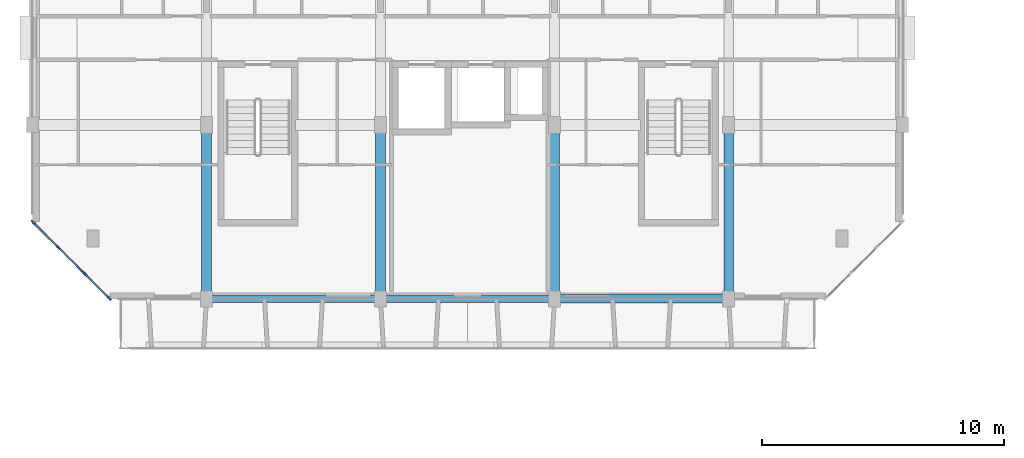
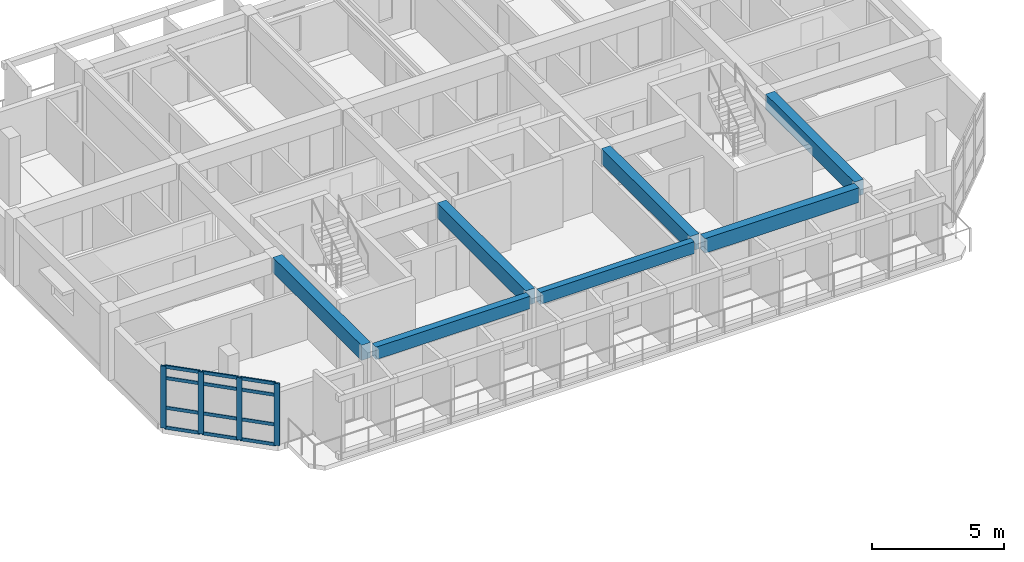
# One storey, part 8 of 64: 16 members, 7 beams, 1 element without a shape of its own.
"""IFC4 building model written with IfcOpenShell, lengths in metres."""

from ifc_helpers import new_model, si_unit, direction, frame, origin, origin_2d, place, context, subcontext, project, spatial, rectangle, extrude, material, layer, layer_set, material_profile, profile_set, type_object, element, aggregate, save


model = new_model("IFC4")

# Units and contexts
model_context = context("Model", 3, precision=1e-05, world=origin(), true_north=direction((0.0, 1.0)))
body_context = subcontext(model_context, "Body", "Model", "MODEL_VIEW")
ifc_project = project(units=[si_unit("LENGTHUNIT", "METRE"), si_unit("AREAUNIT", "SQUARE_METRE"), si_unit("VOLUMEUNIT", "CUBIC_METRE"), si_unit("PLANEANGLEUNIT", "RADIAN"), si_unit("MASSUNIT", "GRAM", prefix="KILO")], contexts=[model_context])

# Site, building, storey
site_placement = place(None, origin())
site = spatial("IfcSite", under=ifc_project, at=site_placement, CompositionType="ELEMENT")
building_placement = place(site_placement, origin())
building = spatial("IfcBuilding", under=site, at=building_placement, Name="Ochrevale Crest", CompositionType="ELEMENT")
storey_placement = place(building_placement, frame((0.0, 0.0, 8.699951171875)))
storey = spatial("IfcBuildingStorey", under=building, at=storey_placement, Name="L02", CompositionType="ELEMENT", Elevation=8.699951171875)

# Beams
ifc_material_1 = material(Name="Precast concrete C50/60", Category="concrete")
ifc_material_profile_1 = material_profile(ifc_material_1, rectangle(XDim=0.39990234375, YDim=0.699951171875, at=origin_2d()), Name="PC 400x700")
ifc_profile_set_1 = profile_set([ifc_material_profile_1], Name="Precast concrete C50/60")
beam_type_1 = type_object("IfcBeamType", Name="BM-PC400x700", PredefinedType="BEAM", material=ifc_profile_set_1)
for number, where, z_axis, x_axis, name in (
    (1, (7.199951171875, 72.22998046875, 2.800048828125), (0.0, 1.0, 0.0), (-1.0, 0.0, 0.0), "Block B L02 N-S beam X=7.2"),
    (2, (14.39990234375, 72.22998046875, 2.800048828125), (0.0, 1.0, 0.0), (-1.0, 0.0, 0.0), "Block B L02 N-S beam X=14.4"),
    (3, (21.60009765625, 72.22998046875, 2.800048828125), (0.0, 1.0, 0.0), (-1.0, 0.0, 0.0), "Block B L02 N-S beam X=21.6"),
    (4, (28.800048828125, 72.22998046875, 2.800048828125), (0.0, 1.0, 0.0), (-1.0, 0.0, 0.0), "Block B L02 N-S beam X=28.8"),
):
    element("IfcBeam", number, at=place(storey_placement, frame(where, z_axis=z_axis, x_axis=x_axis)), inside=storey, type_object=beam_type_1, Name=name, PredefinedType="BEAM", context=body_context, shape_type="SweptSolid", body=[
        extrude(rectangle(XDim=0.39990234375, YDim=0.699951171875, at=origin_2d()), origin(), (0.0, 0.0, 1.0), 6.739990234375),
    ])
ifc_material_2 = material(Name="Precast concrete C40/50", Category="concrete")
ifc_material_profile_2 = material_profile(ifc_material_2, rectangle(XDim=0.280029296875, YDim=0.550048828125, at=origin_2d()), Name="PC 280x550")
ifc_profile_set_2 = profile_set([ifc_material_profile_2], Name="Precast concrete C40/50")
beam_type_2 = type_object("IfcBeamType", Name="BM-SP280x550", PredefinedType="SPANDREL", material=ifc_profile_set_2)
beam_1_placement = place(storey_placement, frame((14.625, 72.0, 2.875), z_axis=(1.0, 0.0, 0.0), x_axis=(0.0, 1.0, 0.0)))
element("IfcBeam", 5, at=beam_1_placement, inside=storey, type_object=beam_type_2, Name="Block B L02 E-W beam Y=72.0", PredefinedType="SPANDREL", context=body_context, shape_type="SweptSolid", body=[
    extrude(rectangle(XDim=0.280029296875, YDim=0.550048828125, at=origin_2d()), origin(), (0.0, 0.0, 1.0), 6.75),
])
ifc_material_profile_3 = material_profile(ifc_material_2, rectangle(XDim=0.300048828125, YDim=0.580078125, at=origin_2d()), Name="PC 300x580")
ifc_profile_set_3 = profile_set([ifc_material_profile_3], Name="Precast concrete C40/50")
beam_type_3 = type_object("IfcBeamType", Name="BM-SP300x580", PredefinedType="SPANDREL", material=ifc_profile_set_3)
beam_2_placement = place(storey_placement, frame((7.425048828125, 72.0, 2.860107421875), z_axis=(1.0, 0.0, 0.0), x_axis=(0.0, 1.0, 0.0)))
element("IfcBeam", 6, at=beam_2_placement, inside=storey, type_object=beam_type_3, Name="Block B L02 E-W beam Y=72.0", PredefinedType="SPANDREL", context=body_context, shape_type="SweptSolid", body=[
    extrude(rectangle(XDim=0.300048828125, YDim=0.580078125, at=origin_2d()), origin(), (0.0, 0.0, 1.0), 6.75),
])
ifc_material_profile_4 = material_profile(ifc_material_2, rectangle(XDim=0.35009765625, YDim=0.679931640625, at=origin_2d()), Name="PC 350x680")
ifc_profile_set_4 = profile_set([ifc_material_profile_4], Name="Precast concrete C40/50")
beam_type_4 = type_object("IfcBeamType", Name="BM-SP350x680", PredefinedType="SPANDREL", material=ifc_profile_set_4)
beam_3_placement = place(storey_placement, frame((21.824951171875, 72.0, 2.81005859375), z_axis=(1.0, 0.0, 0.0), x_axis=(0.0, 1.0, 0.0)))
element("IfcBeam", 7, at=beam_3_placement, inside=storey, type_object=beam_type_4, Name="Block B L02 E-W beam Y=72.0", PredefinedType="SPANDREL", context=body_context, shape_type="SweptSolid", body=[
    extrude(rectangle(XDim=0.35009765625, YDim=0.679931640625, at=origin_2d()), origin(), (0.0, 0.0, 1.0), 6.75),
])

# Curtain wall, members
ifc_material_3 = material(Name="Anodised aluminium 6063-T5", Category="aluminium")
ifc_layer = layer(ifc_material_3, 0.14990234375)
ifc_layer_set = layer_set([ifc_layer], Name="Anodised aluminium 6063-T5")
curtain_wall_type = type_object("IfcCurtainWallType", Name="CW-WG-240x285", PredefinedType="NOTDEFINED", material=ifc_layer_set)
curtain_wall_placement = place(storey_placement, origin())
curtain_wall = element("IfcCurtainWall", 8, at=curtain_wall_placement, inside=storey, type_object=curtain_wall_type, Name="Block B L02 chamfered corner wintergarden curtain wall 8", PredefinedType="NOTDEFINED")
ifc_material_profile_5 = material_profile(ifc_material_3, rectangle(XDim=0.074951171875, YDim=0.219970703125, at=origin_2d()), Name="ALU 75x220")
ifc_profile_set_5 = profile_set([ifc_material_profile_5], Name="Anodised aluminium 6063-T5")
member_type_1 = type_object("IfcMemberType", Name="CW-MUL-75x220", PredefinedType="MULLION", material=ifc_profile_set_5)
member_1_placement = place(storey_placement, frame((0.026611328125, 75.173583984375, 0.0), z_axis=(0.0, 0.0, 1.0), x_axis=(0.707106781187, 0.707106781187, 0.0)))
member_1 = element("IfcMember", 9, at=member_1_placement, type_object=member_type_1, Name="CW15 mullion 1", PredefinedType="MULLION", context=body_context, shape_type="SweptSolid", body=[
    extrude(rectangle(XDim=0.074951171875, YDim=0.219970703125, at=origin_2d()), origin(), (0.0, 0.0, 1.0), 2.875),
])
member_2_placement = place(storey_placement, frame((1.066650390625, 74.13330078125, 0.0), z_axis=(0.0, 0.0, 1.0), x_axis=(0.707106781187, 0.707106781187, 0.0)))
member_2 = element("IfcMember", 10, at=member_2_placement, type_object=member_type_1, Name="CW15 mullion 2", PredefinedType="MULLION", context=body_context, shape_type="SweptSolid", body=[
    extrude(rectangle(XDim=0.074951171875, YDim=0.219970703125, at=origin_2d()), origin(), (0.0, 0.0, 1.0), 2.875),
])
member_3_placement = place(storey_placement, frame((2.13330078125, 73.066650390625, 0.0), z_axis=(0.0, 0.0, 1.0), x_axis=(0.707106781187, 0.707106781187, 0.0)))
member_3 = element("IfcMember", 11, at=member_3_placement, type_object=member_type_1, Name="CW15 mullion 3", PredefinedType="MULLION", context=body_context, shape_type="SweptSolid", body=[
    extrude(rectangle(XDim=0.074951171875, YDim=0.219970703125, at=origin_2d()), origin(), (0.0, 0.0, 1.0), 2.875),
])
member_4_placement = place(storey_placement, frame((3.173583984375, 72.026611328125, 0.0), z_axis=(0.0, 0.0, 1.0), x_axis=(0.707106781187, 0.707106781187, 0.0)))
member_4 = element("IfcMember", 12, at=member_4_placement, type_object=member_type_1, Name="CW15 mullion 4", PredefinedType="MULLION", context=body_context, shape_type="SweptSolid", body=[
    extrude(rectangle(XDim=0.074951171875, YDim=0.219970703125, at=origin_2d()), origin(), (0.0, 0.0, 1.0), 2.875),
])
ifc_material_profile_6 = material_profile(ifc_material_3, rectangle(XDim=0.06005859375, YDim=0.14990234375, at=origin_2d()), Name="ALU 60x150")
ifc_profile_set_6 = profile_set([ifc_material_profile_6], Name="Anodised aluminium 6063-T5")
member_type_2 = type_object("IfcMemberType", Name="CW-TRN-60x150", PredefinedType="USERDEFINED", material=ifc_profile_set_6)
member_5_placement = place(storey_placement, frame((0.052978515625, 75.14697265625, 0.030029296875), z_axis=(0.707106781187, -0.707106781187, 0.0), x_axis=(0.707106781187, 0.707106781187, 0.0)))
member_5 = element("IfcMember", 13, at=member_5_placement, type_object=member_type_2, Name="CW15 transom 1.1", ObjectType="TRANSOM", PredefinedType="USERDEFINED", context=body_context, shape_type="SweptSolid", body=[
    extrude(rectangle(XDim=0.06005859375, YDim=0.14990234375, at=origin_2d()), origin(), (0.0, 0.0, 1.0), 1.39599609375),
])
member_6_placement = place(storey_placement, frame((0.052978515625, 75.14697265625, 0.949951171875), z_axis=(0.707106781187, -0.707106781187, 0.0), x_axis=(0.707106781187, 0.707106781187, 0.0)))
member_6 = element("IfcMember", 14, at=member_6_placement, type_object=member_type_2, Name="CW15 transom 1.2", ObjectType="TRANSOM", PredefinedType="USERDEFINED", context=body_context, shape_type="SweptSolid", body=[
    extrude(rectangle(XDim=0.06005859375, YDim=0.14990234375, at=origin_2d()), origin(), (0.0, 0.0, 1.0), 1.39599609375),
])
member_7_placement = place(storey_placement, frame((0.052978515625, 75.14697265625, 2.324951171875), z_axis=(0.707106781187, -0.707106781187, 0.0), x_axis=(0.707106781187, 0.707106781187, 0.0)))
member_7 = element("IfcMember", 15, at=member_7_placement, type_object=member_type_2, Name="CW15 transom 1.3", ObjectType="TRANSOM", PredefinedType="USERDEFINED", context=body_context, shape_type="SweptSolid", body=[
    extrude(rectangle(XDim=0.06005859375, YDim=0.14990234375, at=origin_2d()), origin(), (0.0, 0.0, 1.0), 1.39599609375),
])
member_8_placement = place(storey_placement, frame((0.052978515625, 75.14697265625, 2.844970703125), z_axis=(0.707106781187, -0.707106781187, 0.0), x_axis=(0.707106781187, 0.707106781187, 0.0)))
member_8 = element("IfcMember", 16, at=member_8_placement, type_object=member_type_2, Name="CW15 transom 1.4", ObjectType="TRANSOM", PredefinedType="USERDEFINED", context=body_context, shape_type="SweptSolid", body=[
    extrude(rectangle(XDim=0.06005859375, YDim=0.14990234375, at=origin_2d()), origin(), (0.0, 0.0, 1.0), 1.39599609375),
])
member_9_placement = place(storey_placement, frame((1.09326171875, 74.10693359375, 0.030029296875), z_axis=(0.707106781187, -0.707106781187, 0.0), x_axis=(0.707106781187, 0.707106781187, 0.0)))
member_9 = element("IfcMember", 17, at=member_9_placement, type_object=member_type_2, Name="CW15 transom 2.1", ObjectType="TRANSOM", PredefinedType="USERDEFINED", context=body_context, shape_type="SweptSolid", body=[
    extrude(rectangle(XDim=0.06005859375, YDim=0.14990234375, at=origin_2d()), origin(), (0.0, 0.0, 1.0), 1.43359375),
])
member_10_placement = place(storey_placement, frame((1.09326171875, 74.10693359375, 0.949951171875), z_axis=(0.707106781187, -0.707106781187, 0.0), x_axis=(0.707106781187, 0.707106781187, 0.0)))
member_10 = element("IfcMember", 18, at=member_10_placement, type_object=member_type_2, Name="CW15 transom 2.2", ObjectType="TRANSOM", PredefinedType="USERDEFINED", context=body_context, shape_type="SweptSolid", body=[
    extrude(rectangle(XDim=0.06005859375, YDim=0.14990234375, at=origin_2d()), origin(), (0.0, 0.0, 1.0), 1.43359375),
])
member_11_placement = place(storey_placement, frame((1.09326171875, 74.10693359375, 2.324951171875), z_axis=(0.707106781187, -0.707106781187, 0.0), x_axis=(0.707106781187, 0.707106781187, 0.0)))
member_11 = element("IfcMember", 19, at=member_11_placement, type_object=member_type_2, Name="CW15 transom 2.3", ObjectType="TRANSOM", PredefinedType="USERDEFINED", context=body_context, shape_type="SweptSolid", body=[
    extrude(rectangle(XDim=0.06005859375, YDim=0.14990234375, at=origin_2d()), origin(), (0.0, 0.0, 1.0), 1.43359375),
])
member_12_placement = place(storey_placement, frame((1.09326171875, 74.10693359375, 2.844970703125), z_axis=(0.707106781187, -0.707106781187, 0.0), x_axis=(0.707106781187, 0.707106781187, 0.0)))
member_12 = element("IfcMember", 20, at=member_12_placement, type_object=member_type_2, Name="CW15 transom 2.4", ObjectType="TRANSOM", PredefinedType="USERDEFINED", context=body_context, shape_type="SweptSolid", body=[
    extrude(rectangle(XDim=0.06005859375, YDim=0.14990234375, at=origin_2d()), origin(), (0.0, 0.0, 1.0), 1.43359375),
])
member_13_placement = place(storey_placement, frame((2.159912109375, 73.0400390625, 0.030029296875), z_axis=(0.707106781187, -0.707106781187, 0.0), x_axis=(0.707106781187, 0.707106781187, 0.0)))
member_13 = element("IfcMember", 21, at=member_13_placement, type_object=member_type_2, Name="CW15 transom 3.1", ObjectType="TRANSOM", PredefinedType="USERDEFINED", context=body_context, shape_type="SweptSolid", body=[
    extrude(rectangle(XDim=0.06005859375, YDim=0.14990234375, at=origin_2d()), origin(), (0.0, 0.0, 1.0), 1.39599609375),
])
member_14_placement = place(storey_placement, frame((2.159912109375, 73.0400390625, 0.949951171875), z_axis=(0.707106781187, -0.707106781187, 0.0), x_axis=(0.707106781187, 0.707106781187, 0.0)))
member_14 = element("IfcMember", 22, at=member_14_placement, type_object=member_type_2, Name="CW15 transom 3.2", ObjectType="TRANSOM", PredefinedType="USERDEFINED", context=body_context, shape_type="SweptSolid", body=[
    extrude(rectangle(XDim=0.06005859375, YDim=0.14990234375, at=origin_2d()), origin(), (0.0, 0.0, 1.0), 1.39599609375),
])
member_15_placement = place(storey_placement, frame((2.159912109375, 73.0400390625, 2.324951171875), z_axis=(0.707106781187, -0.707106781187, 0.0), x_axis=(0.707106781187, 0.707106781187, 0.0)))
member_15 = element("IfcMember", 23, at=member_15_placement, type_object=member_type_2, Name="CW15 transom 3.3", ObjectType="TRANSOM", PredefinedType="USERDEFINED", context=body_context, shape_type="SweptSolid", body=[
    extrude(rectangle(XDim=0.06005859375, YDim=0.14990234375, at=origin_2d()), origin(), (0.0, 0.0, 1.0), 1.39599609375),
])
member_16_placement = place(storey_placement, frame((2.159912109375, 73.0400390625, 2.844970703125), z_axis=(0.707106781187, -0.707106781187, 0.0), x_axis=(0.707106781187, 0.707106781187, 0.0)))
member_16 = element("IfcMember", 24, at=member_16_placement, type_object=member_type_2, Name="CW15 transom 3.4", ObjectType="TRANSOM", PredefinedType="USERDEFINED", context=body_context, shape_type="SweptSolid", body=[
    extrude(rectangle(XDim=0.06005859375, YDim=0.14990234375, at=origin_2d()), origin(), (0.0, 0.0, 1.0), 1.39599609375),
])
aggregate(curtain_wall, [member_1, member_2, member_3, member_4, member_5, member_6, member_7, member_8, member_9, member_10, member_11, member_12, member_13, member_14, member_15, member_16])

save(model, "model.ifc")
